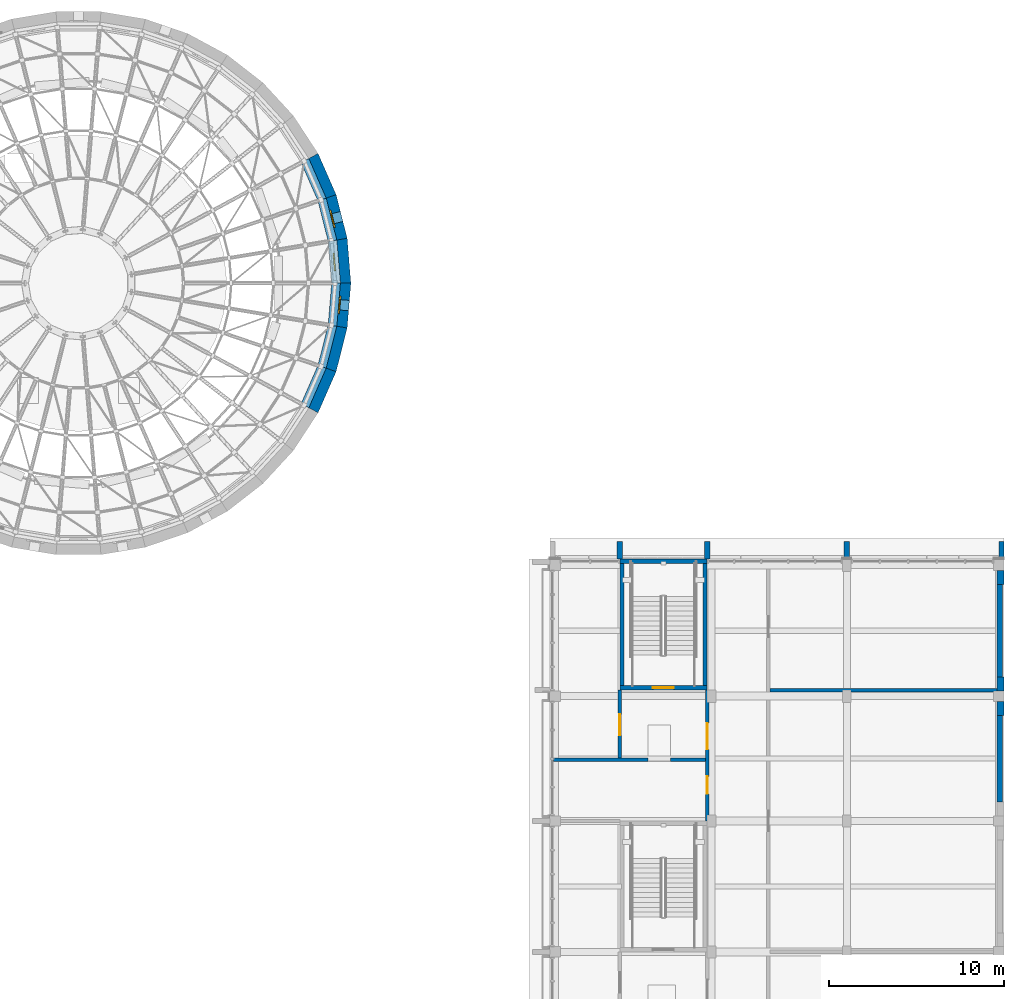
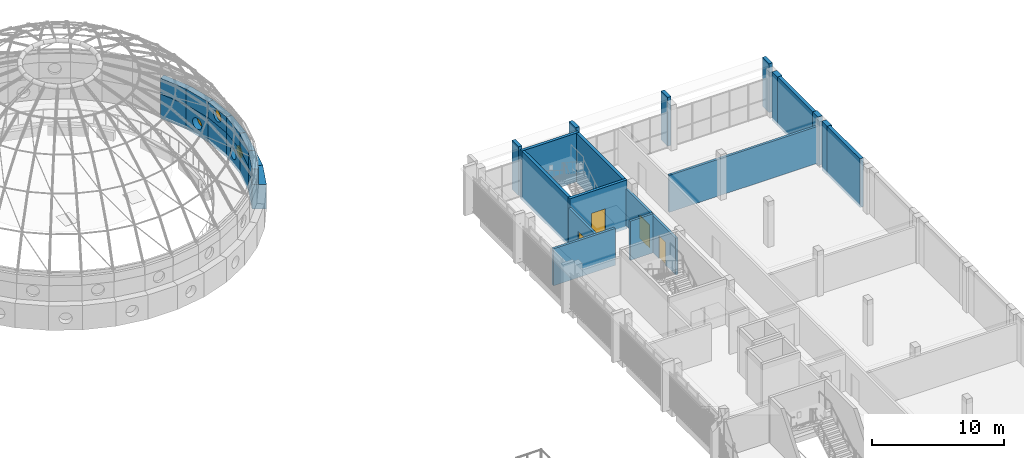
# One storey, part 58 of 98: 30 walls, 4 doors, 3 windows, 7 openings.
"""IFC4 building model written with IfcOpenShell, lengths in metres."""

import ifcopenshell
import ifcopenshell.guid

model = None  # the IFC model being written
_history = None  # IfcOwnerHistory: only IFC2X3 demands one
_inside = {}  # id of a spatial element -> (the spatial element, [elements in it])
_under = {}  # id of a project, library or spatial element -> (it, [spatial elements below it])
_declared = {}  # id of a project -> (the project, [libraries it declares])
_typed = {}  # id of a type object -> (the type object, [elements of that type])
_made_of = {}  # id of a material, layer set ... -> (it, [elements and type objects made of it])


def new_model(schema):
    """Start an empty IFC model of exactly this schema.

    Asked for "IFC4X3", IfcOpenShell would pick the latest addendum, in which some entities
    have other attributes; the version numbers below select the first issue.
    IFC2X3 requires an IfcOwnerHistory on every rooted entity: one is made here for all.
    """
    global model, _history
    if schema == "IFC4X3":
        model = ifcopenshell.file(schema_version=(4, 3, 0, 0))
    else:
        model = ifcopenshell.file(schema=schema)
    _inside.clear()
    _under.clear()
    _declared.clear()
    _typed.clear()
    _made_of.clear()
    _history = None
    if model.schema == "IFC2X3":
        org = make("IfcOrganization", Name="unknown")
        user = make(
            "IfcPersonAndOrganization",
            ThePerson=make("IfcPerson", FamilyName="unknown"),
            TheOrganization=org,
        )
        app = make(
            "IfcApplication",
            ApplicationDeveloper=org,
            Version="unknown",
            ApplicationFullName="unknown",
            ApplicationIdentifier="unknown",
        )
        _history = make(
            "IfcOwnerHistory",
            OwningUser=user,
            OwningApplication=app,
            ChangeAction="ADDED",
            CreationDate=0,
        )
    return model


def make(cls, **values):
    """One entity of the class cls with the attributes given. An attribute that is None is left unset."""
    return model.create_entity(
        cls, **{name: value for name, value in values.items() if value is not None}
    )


def rooted(cls, **values):
    """An entity with a GlobalId (a new one), such as an element, a storey or a relation."""
    return make(cls, GlobalId=ifcopenshell.guid.new(), OwnerHistory=_history, **values)


def si_unit(unit_type, name, prefix=None):
    """IfcSIUnit, for example si_unit("LENGTHUNIT", "METRE", prefix="MILLI")."""
    return make("IfcSIUnit", UnitType=unit_type, Prefix=prefix, Name=name)


def assignment(units):
    """IfcUnitAssignment: the units of a project."""
    return None if units is None else make("IfcUnitAssignment", Units=units)


def point(xyz):
    """IfcCartesianPoint."""
    return None if xyz is None else make("IfcCartesianPoint", Coordinates=xyz)


def direction(xyz):
    """IfcDirection."""
    return None if xyz is None else make("IfcDirection", DirectionRatios=xyz)


def frame(location, z_axis=None, x_axis=None):
    """IfcAxis2Placement3D, a coordinate frame: its origin and axes. An axis left out is left unset."""
    return make(
        "IfcAxis2Placement3D",
        Location=point(location),
        Axis=direction(z_axis),
        RefDirection=direction(x_axis),
    )


def frame_2d(location, x_axis=None):
    """IfcAxis2Placement2D, a coordinate frame in the plane: its origin and x axis."""
    return make(
        "IfcAxis2Placement2D", Location=point(location), RefDirection=direction(x_axis)
    )


def origin():
    """The frame at (0, 0, 0) with its axes left unset."""
    return frame((0.0, 0.0, 0.0))


def place(relative_to, where):
    """IfcLocalPlacement: puts the frame where relative to a parent placement (None: the world)."""
    return make(
        "IfcLocalPlacement", PlacementRelTo=relative_to, RelativePlacement=where
    )


def context(
    kind, dimensions, precision=None, world=None, true_north=None, identifier=None
):
    """IfcGeometricRepresentationContext, for example the 3D "Model" context."""
    return make(
        "IfcGeometricRepresentationContext",
        ContextIdentifier=identifier,
        ContextType=kind,
        CoordinateSpaceDimension=dimensions,
        Precision=precision,
        WorldCoordinateSystem=world,
        TrueNorth=true_north,
    )


def subcontext(parent, identifier, kind, view, scale=None):
    """IfcGeometricRepresentationSubContext, for example "Body" below "Model"."""
    return make(
        "IfcGeometricRepresentationSubContext",
        ContextIdentifier=identifier,
        ContextType=kind,
        ParentContext=parent,
        TargetScale=scale,
        TargetView=view,
    )


def project(units=None, contexts=None):
    """IfcProject with its units and contexts."""
    return rooted(
        "IfcProject",
        Name="project",
        RepresentationContexts=contexts,
        UnitsInContext=assignment(units),
    )


def spatial(cls, under=None, at=None, **own):
    """A site, building, storey or space (cls), placed at a placement, below another one or the project."""
    s = rooted(cls, ObjectPlacement=at, **own)
    if under is not None:
        _under.setdefault(under.id(), (under, []))[1].append(s)
    return s


def polyline(points):
    """IfcPolyline through the points."""
    return make("IfcPolyline", Points=[point(p) for p in points])


def profile(cls, at=None, kind="AREA", **sizes):
    """A parametric profile (cls). Its sizes go by their IFC names, for example OverallWidth=200.0."""
    return make(cls, ProfileType=kind, Position=at, **sizes)


def rectangle(**sizes):
    """IfcRectangleProfileDef."""
    return profile("IfcRectangleProfileDef", **sizes)


def circle(**sizes):
    """IfcCircleProfileDef."""
    return profile("IfcCircleProfileDef", **sizes)


def outline(outer, holes=None, kind="AREA"):
    """IfcArbitraryClosedProfileDef: a profile drawn as a closed curve; with holes, ...WithVoids."""
    if holes is None:
        return make("IfcArbitraryClosedProfileDef", ProfileType=kind, OuterCurve=outer)
    return make(
        "IfcArbitraryProfileDefWithVoids",
        ProfileType=kind,
        OuterCurve=outer,
        InnerCurves=holes,
    )


def extrude(swept, where, along, depth):
    """IfcExtrudedAreaSolid: the profile swept, set in the frame where, extruded along a direction by depth."""
    return make(
        "IfcExtrudedAreaSolid",
        SweptArea=swept,
        Position=where,
        ExtrudedDirection=direction(along),
        Depth=depth,
    )


def shape(context_of_items, identifier, shape_type, items):
    """IfcShapeRepresentation: the items that make up one representation, for example the "Body"."""
    return make(
        "IfcShapeRepresentation",
        ContextOfItems=context_of_items,
        RepresentationIdentifier=identifier,
        RepresentationType=shape_type,
        Items=items,
    )


def material(Name=None, Category=None):
    """IfcMaterial."""
    return make("IfcMaterial", Name=Name, Category=Category)


def layer(
    of_material, thickness, ventilated=None, Name=None, Category=None, Priority=None
):
    """IfcMaterialLayer: one layer of a wall or slab, of a material (None: an air gap)."""
    return make(
        "IfcMaterialLayer",
        Material=of_material,
        LayerThickness=thickness,
        IsVentilated=ventilated,
        Name=Name,
        Category=Category,
        Priority=Priority,
    )


def layer_set(layers, Name=None):
    """IfcMaterialLayerSet."""
    return make("IfcMaterialLayerSet", MaterialLayers=layers, LayerSetName=Name)


def made_of(thing, what):
    """Note that an element or type object is made of a material, layer set ...; save() writes the relation."""
    if what is not None:
        _made_of.setdefault(what.id(), (what, []))[1].append(thing)
    return thing


def type_object(cls, material=None, **own):
    """A type object (cls), such as IfcWallType, which elements share."""
    return made_of(rooted(cls, **own), material)


def element(
    cls,
    number,
    at=None,
    inside=None,
    cuts=None,
    type_object=None,
    material=None,
    context=None,
    identifier="Body",
    shape_type=None,
    held_by="IfcProductDefinitionShape",
    body=None,
    shapes=None,
    **own,
):
    """One element of the class cls, such as IfcWall. Its Tag is "e" and its number.

    at: its placement. inside: the storey or other place that contains it. cuts: it is an
    opening in that element (IfcRelVoidsElement). A single representation is given by context,
    identifier, shape_type and body (its items); several are given by shapes. held_by: the class
    of the entity that holds the representations. save() writes the other relations.
    """
    e = rooted(cls, Tag="e%d" % number, ObjectPlacement=at, **own)
    if body is not None:
        shapes = [shape(context, identifier, shape_type, body)]
    if shapes is not None:
        e.Representation = make(held_by, Representations=shapes)
    if inside is not None:
        _inside.setdefault(inside.id(), (inside, []))[1].append(e)
    if cuts is not None:
        rooted(
            "IfcRelVoidsElement", RelatingBuildingElement=cuts, RelatedOpeningElement=e
        )
    if type_object is not None:
        _typed.setdefault(type_object.id(), (type_object, []))[1].append(e)
    return made_of(e, material)


def fill(opening, filler):
    """IfcRelFillsElement: the door or window that sits in an opening."""
    return rooted(
        "IfcRelFillsElement",
        RelatingOpeningElement=opening,
        RelatedBuildingElement=filler,
    )


def aggregate(whole, parts):
    """IfcRelAggregates: a whole, such as a stair, and the parts it consists of."""
    return rooted("IfcRelAggregates", RelatingObject=whole, RelatedObjects=parts)


def save(model, path):
    """Write the relations noted so far, then the file.

    IfcRelAggregates (storeys below a building ...), IfcRelContainedInSpatialStructure (elements
    in a storey), IfcRelDefinesByType, IfcRelAssociatesMaterial and IfcRelDeclares: one each for
    every whole, place, type object, material and project.
    """
    for whole, parts in _under.values():
        aggregate(whole, parts)
    for where, things in _inside.values():
        rooted(
            "IfcRelContainedInSpatialStructure",
            RelatedElements=things,
            RelatingStructure=where,
        )
    for kind, things in _typed.values():
        rooted("IfcRelDefinesByType", RelatedObjects=things, RelatingType=kind)
    for what, things in _made_of.values():
        rooted("IfcRelAssociatesMaterial", RelatedObjects=things, RelatingMaterial=what)
    for by, libraries in _declared.values():
        rooted("IfcRelDeclares", RelatingContext=by, RelatedDefinitions=libraries)
    model.write(path)


model = new_model("IFC4")

# Units and contexts
model_context = context("Model", 3, precision=1e-05, world=origin(), true_north=direction((0.0, 1.0)))
body_context = subcontext(model_context, "Body", "Model", "MODEL_VIEW")
ifc_project = project(units=[si_unit("LENGTHUNIT", "METRE"), si_unit("AREAUNIT", "SQUARE_METRE"), si_unit("VOLUMEUNIT", "CUBIC_METRE"), si_unit("PLANEANGLEUNIT", "RADIAN"), si_unit("MASSUNIT", "GRAM", prefix="KILO")], contexts=[model_context])

# Site, building, storey
site_placement = place(None, origin())
site = spatial("IfcSite", under=ifc_project, at=site_placement, CompositionType="ELEMENT")
building_placement = place(site_placement, origin())
building = spatial("IfcBuilding", under=site, at=building_placement, Name="Sun Court Science Centre", CompositionType="ELEMENT")
storey_placement = place(building_placement, frame((0.0, 0.0, 15.75)))
storey = spatial("IfcBuildingStorey", under=building, at=storey_placement, Name="L03", CompositionType="ELEMENT", Elevation=15.75)

# Walls
ifc_material_1 = material(Name="Concrete C30/37", Category="concrete")
ifc_layer_1 = layer(ifc_material_1, 0.300048828125)
ifc_layer_set_1 = layer_set([ifc_layer_1], Name="Concrete C30/37")
wall_type_1 = type_object("IfcWallType", Name="Facade fin RC 300", PredefinedType="SOLIDWALL", material=ifc_layer_set_1)
for number, where, z_axis, x_axis, name in (
    (1, (82.0, 81.0, 0.0), (0.0, 0.0, 1.0), (0.0, 1.0, 0.0), "Facade fin north 02 L03"),
    (2, (87.0, 81.0, 0.0), (0.0, 0.0, 1.0), (0.0, 1.0, 0.0), "Facade fin north 03 L03"),
    (3, (95.0, 81.0, 0.0), (0.0, 0.0, 1.0), (0.0, 1.0, 0.0), "Facade fin north 04 L03"),
    (4, (103.85009765625, 81.0, 0.0), (0.0, 0.0, 1.0), (0.0, 1.0, 0.0), "Facade fin north 05 L03"),
):
    element("IfcWall", number, at=place(storey_placement, frame(where, z_axis=z_axis, x_axis=x_axis)), inside=storey, type_object=wall_type_1, Name=name, PredefinedType="SOLIDWALL", context=body_context, shape_type="SweptSolid", body=[
        extrude(rectangle(XDim=1.0, YDim=0.300048828125, at=frame_2d((0.5, 0.0))), origin(), (0.0, 0.0, 1.0), 4.5),
    ])
ifc_material_2 = material(Name="Concrete block", Category="concrete")
ifc_layer_2 = layer(ifc_material_2, 0.199951171875)
ifc_layer_set_2 = layer_set([ifc_layer_2], Name="Concrete block")
wall_type_2 = type_object("IfcWallType", Name="Partition 200 block EI60", PredefinedType="PARTITIONING", material=ifc_layer_set_2)
wall_1_placement = place(storey_placement, frame((78.199951171875, 69.5, 0.0), z_axis=(0.0, 0.0, 1.0), x_axis=(1.0, 0.0, 0.0)))
element("IfcWall", 5, at=wall_1_placement, inside=storey, type_object=wall_type_2, Name="L03 partition 014", PredefinedType="PARTITIONING", context=body_context, shape_type="SweptSolid", body=[
    extrude(rectangle(XDim=5.400146484375, YDim=0.199951171875, at=frame_2d((2.7001953125, 0.0))), origin(), (0.0, 0.0, 1.0), 3.39990234375),
])
wall_2_placement = place(storey_placement, frame((84.89990234375, 69.5, 0.0), z_axis=(0.0, 0.0, 1.0), x_axis=(1.0, 0.0, 0.0)))
element("IfcWall", 6, at=wall_2_placement, inside=storey, type_object=wall_type_2, Name="L03 partition 015", PredefinedType="PARTITIONING", context=body_context, shape_type="SweptSolid", body=[
    extrude(rectangle(XDim=2.0, YDim=0.199951171875, at=frame_2d((1.0, 0.0))), origin(), (0.0, 0.0, 1.0), 3.60009765625),
])

# Wall, opening, door
wall_3_placement = place(storey_placement, frame((82.0, 69.60009765625, 0.0), z_axis=(0.0, 0.0, 1.0), x_axis=(0.0, 1.0, 0.0)))
wall_3 = element("IfcWall", 7, at=wall_3_placement, inside=storey, type_object=wall_type_2, Name="L03 partition 025", PredefinedType="PARTITIONING", context=body_context, shape_type="SweptSolid", body=[
    extrude(rectangle(XDim=3.89794921875, YDim=0.199951171875, at=frame_2d((1.948974609375, 0.0))), origin(), (0.0, 0.0, 1.0), 3.39990234375),
])
opening_1_placement = place(wall_3_placement, frame((1.301025390625, 0.0, 0.0)))
opening_1 = element("IfcOpeningElement", 8, at=opening_1_placement, cuts=wall_3, Name="Opening D-L03-021", PredefinedType="OPENING", context=body_context, shape_type="SweptSolid", body=[
    extrude(rectangle(XDim=1.199951171875, YDim=2.10009765625, at=frame_2d((0.60009765625, 1.050048828125))), frame((0.0, 0.10986328125, 0.0), z_axis=(0.0, -1.0, 0.0), x_axis=(1.0, 0.0, 0.0)), (0.0, 0.0, 1.0), 0.219970703125),
])
ifc_material_3 = material(Name="Timber", Category="wood")
door_type_1 = type_object("IfcDoorType", Name="Door 1200x2100 single leaf", OperationType="NOTDEFINED", PredefinedType="DOOR", material=ifc_material_3)
door_1_placement = place(opening_1_placement, origin())
door_1 = element("IfcDoor", 9, at=door_1_placement, inside=storey, type_object=door_type_1, Name="Door D-L03-021", OperationType="SINGLE_SWING_RIGHT", OverallHeight=2.10009765625, OverallWidth=1.199951171875, PredefinedType="DOOR", context=body_context, shape_type="SweptSolid", body=[
    extrude(rectangle(XDim=1.199951171875, YDim=2.10009765625, at=frame_2d((0.60009765625, 1.050048828125))), frame((0.0, 0.02490234375, 0.0), z_axis=(0.0, -1.0, 0.0), x_axis=(1.0, 0.0, 0.0)), (0.0, 0.0, 1.0), 0.050048828125),
])
fill(opening_1, door_1)

# Wall, openings, doors
ifc_material_4 = material(Name="Concrete block", Category="concrete")
ifc_layer_3 = layer(ifc_material_4, 0.199951171875)
ifc_layer_set_3 = layer_set([ifc_layer_3], Name="Concrete block")
wall_type_3 = type_object("IfcWallType", Name="Partition 200 corridor block EI120", PredefinedType="PARTITIONING", material=ifc_layer_set_3)
wall_4_placement = place(storey_placement, frame((87.0, 66.001953125, 0.0), z_axis=(0.0, 0.0, 1.0), x_axis=(0.0, 1.0, 0.0)))
wall_4 = element("IfcWall", 10, at=wall_4_placement, inside=storey, type_object=wall_type_3, Name="L03 partition 022", PredefinedType="PARTITIONING", context=body_context, shape_type="SweptSolid", body=[
    extrude(rectangle(XDim=7.49609375, YDim=0.199951171875, at=frame_2d((3.748046875, 0.0))), origin(), (0.0, 0.0, 1.0), 3.39990234375),
])
opening_2_placement = place(wall_4_placement, frame((4.097900390625, 0.0, 0.0)))
opening_2 = element("IfcOpeningElement", 11, at=opening_2_placement, cuts=wall_4, Name="Opening D-L03-013", PredefinedType="OPENING", context=body_context, shape_type="SweptSolid", body=[
    extrude(rectangle(XDim=1.5, YDim=2.10009765625, at=frame_2d((0.75, 1.050048828125))), frame((0.0, 0.10986328125, 0.0), z_axis=(0.0, -1.0, 0.0), x_axis=(1.0, 0.0, 0.0)), (0.0, 0.0, 1.0), 0.219970703125),
])
opening_3_placement = place(wall_4_placement, frame((1.548095703125, 0.0, 0.0)))
opening_3 = element("IfcOpeningElement", 12, at=opening_3_placement, cuts=wall_4, Name="Opening D-L03-020", PredefinedType="OPENING", context=body_context, shape_type="SweptSolid", body=[
    extrude(rectangle(XDim=1.0, YDim=2.10009765625, at=frame_2d((0.5, 1.050048828125))), frame((0.0, 0.10986328125, 0.0), z_axis=(0.0, -1.0, 0.0), x_axis=(1.0, 0.0, 0.0)), (0.0, 0.0, 1.0), 0.219970703125),
])
ifc_material_5 = material(Name="Steel", Category="steel")
door_type_2 = type_object("IfcDoorType", Name="Door 1000x2100 single leaf FD30S", OperationType="NOTDEFINED", PredefinedType="DOOR", material=ifc_material_5)
door_2_placement = place(opening_3_placement, origin())
door_2 = element("IfcDoor", 13, at=door_2_placement, inside=storey, type_object=door_type_2, Name="Door D-L03-020", OperationType="SINGLE_SWING_RIGHT", OverallHeight=2.10009765625, OverallWidth=1.0, PredefinedType="DOOR", context=body_context, shape_type="SweptSolid", body=[
    extrude(rectangle(XDim=1.0, YDim=2.10009765625, at=frame_2d((0.5, 1.050048828125))), frame((0.0, 0.02490234375, 0.0), z_axis=(0.0, -1.0, 0.0), x_axis=(1.0, 0.0, 0.0)), (0.0, 0.0, 1.0), 0.050048828125),
])
fill(opening_3, door_2)
ifc_material_6 = material(Name="Steel", Category="steel")
door_type_3 = type_object("IfcDoorType", Name="Door 1500x2100 double leaf FD60", OperationType="DOUBLE_DOOR_SINGLE_SWING", PredefinedType="DOOR", material=ifc_material_6)
door_3_placement = place(opening_2_placement, origin())
door_3 = element("IfcDoor", 14, at=door_3_placement, inside=storey, type_object=door_type_3, Name="Door D-L03-013", OperationType="DOUBLE_DOOR_SINGLE_SWING", OverallHeight=2.10009765625, OverallWidth=1.5, PredefinedType="DOOR", context=body_context, shape_type="SweptSolid", body=[
    extrude(rectangle(XDim=1.5, YDim=2.10009765625, at=frame_2d((0.75, 1.050048828125))), frame((0.0, 0.02490234375, 0.0), z_axis=(0.0, -1.0, 0.0), x_axis=(1.0, 0.0, 0.0)), (0.0, 0.0, 1.0), 0.050048828125),
])
fill(opening_2, door_3)

# Wall
ifc_material_7 = material(Name="Concrete block", Category="concrete")
ifc_layer_4 = layer(ifc_material_7, 0.199951171875)
ifc_layer_set_4 = layer_set([ifc_layer_4], Name="Concrete block")
wall_type_4 = type_object("IfcWallType", Name="Partition 200 laboratory block", PredefinedType="PARTITIONING", material=ifc_layer_set_4)
wall_5_placement = place(storey_placement, frame((90.60009765625, 73.5, 0.0), z_axis=(0.0, 0.0, 1.0), x_axis=(1.0, 0.0, 0.0)))
element("IfcWall", 15, at=wall_5_placement, inside=storey, type_object=wall_type_4, Name="L03 partition 016", PredefinedType="PARTITIONING", context=body_context, shape_type="SweptSolid", body=[
    extrude(rectangle(XDim=12.997802734375, YDim=0.199951171875, at=frame_2d((6.4990234375, 0.0))), origin(), (0.0, 0.0, 1.0), 3.39990234375),
])

# Wall, opening, window
ifc_material_8 = material(Name="Concrete C30/37", Category="concrete")
ifc_layer_5 = layer(ifc_material_8, 1.097900390625)
ifc_layer_set_5 = layer_set([ifc_layer_5], Name="Concrete C30/37")
wall_type_5 = type_object("IfcWallType", Name="RC drum wall exterior 1098", PredefinedType="SHEAR", material=ifc_layer_set_5)
wall_6_placement = place(storey_placement, frame((65.85498046875, 99.23291015625, -0.300048828125), z_axis=(0.0, 0.0, 1.0), x_axis=(-0.24543313963, 0.969413520625, 0.0)))
wall_6 = element("IfcWall", 16, at=wall_6_placement, inside=storey, type_object=wall_type_5, Name="Drum wall L03 course 1 segment 1", PredefinedType="SHEAR", context=body_context, shape_type="SweptSolid", body=[
    extrude(outline(polyline([(0.0, -0.549072265625), (2.576416015625, -0.548828125), (2.4853515625, 0.549072265625), (0.0908203125, 0.548828125), (0.0, -0.549072265625)])), origin(), (0.0, 0.0, 1.0), 2.25),
])
opening_4_placement = place(wall_6_placement, frame((0.788330078125, 0.0, 0.60009765625)))
opening_4 = element("IfcOpeningElement", 17, at=opening_4_placement, cuts=wall_6, Name="Opening WN-L03-057", PredefinedType="OPENING", context=body_context, shape_type="SweptSolid", body=[
    extrude(circle(Radius=0.5, at=frame_2d((0.5, 0.5))), frame((0.0, 0.558837890625, 0.0), z_axis=(0.0, -1.0, 0.0), x_axis=(1.0, 0.0, 0.0)), (0.0, 0.0, 1.0), 1.117919921875),
])
ifc_material_9 = material(Name="Aluminium frame, 6-12-6 glazing", Category="aluminium")
window_type = type_object("IfcWindowType", Name="Round porthole 1000", PartitioningType="SINGLE_PANEL", PredefinedType="WINDOW", material=ifc_material_9)
window_1_placement = place(opening_4_placement, origin())
window_1 = element("IfcWindow", 18, at=window_1_placement, inside=storey, type_object=window_type, Name="Drum porthole L03 01", OverallHeight=1.0, OverallWidth=1.0, PartitioningType="SINGLE_PANEL", PredefinedType="WINDOW", context=body_context, shape_type="SweptSolid", body=[
    extrude(circle(Radius=0.5, at=frame_2d((0.5, 0.5))), frame((0.0, 0.030029296875, 0.0), z_axis=(0.0, -1.0, 0.0), x_axis=(1.0, 0.0, 0.0)), (0.0, 0.0, 1.0), 0.06005859375),
])
fill(opening_4, window_1)

# Walls
wall_7_placement = place(storey_placement, frame((65.251953125, 101.644775390625, -0.300048828125), z_axis=(0.0, 0.0, 1.0), x_axis=(-0.401693563035, 0.915774143234, 0.0)))
element("IfcWall", 19, at=wall_7_placement, inside=storey, type_object=wall_type_5, Name="Drum wall L03 course 1 segment 2", PredefinedType="SHEAR", context=body_context, shape_type="SweptSolid", body=[
    extrude(outline(polyline([(0.0, -0.548828125), (2.57666015625, -0.549072265625), (2.4853515625, 0.548828125), (0.091064453125, 0.549072265625), (0.0, -0.548828125)])), origin(), (0.0, 0.0, 1.0), 2.25),
])
wall_8_placement = place(storey_placement, frame((64.217041015625, 89.595703125, -0.300048828125), z_axis=(0.0, 0.0, 1.0), x_axis=(0.401658706786, 0.915789431727, 0.0)))
element("IfcWall", 20, at=wall_8_placement, inside=storey, type_object=wall_type_5, Name="Drum wall L03 course 1 segment 35", PredefinedType="SHEAR", context=body_context, shape_type="SweptSolid", body=[
    extrude(outline(polyline([(0.0, -0.548828125), (2.576416015625, -0.549072265625), (2.4853515625, 0.548828125), (0.091064453125, 0.548828125), (0.0, -0.548828125)])), origin(), (0.0, 0.0, 1.0), 2.25),
])
wall_9_placement = place(storey_placement, frame((65.22265625, 91.869384765625, -0.300048828125), z_axis=(0.0, 0.0, 1.0), x_axis=(0.245410595313, 0.969419228048, 0.0)))
element("IfcWall", 21, at=wall_9_placement, inside=storey, type_object=wall_type_5, Name="Drum wall L03 course 1 segment 36", PredefinedType="SHEAR", context=body_context, shape_type="SweptSolid", body=[
    extrude(outline(polyline([(0.0, -0.548828125), (2.57666015625, -0.549072265625), (2.48583984375, 0.548828125), (0.0908203125, 0.549072265625), (0.0, -0.548828125)])), origin(), (0.0, 0.0, 1.0), 2.25),
])

# Wall, opening, window
wall_10_placement = place(storey_placement, frame((65.840087890625, 94.277587890625, -0.300048828125), z_axis=(0.0, 0.0, 1.0), x_axis=(0.082629840091, 0.996580307615, 0.0)))
wall_10 = element("IfcWall", 22, at=wall_10_placement, inside=storey, type_object=wall_type_5, Name="Drum wall L03 course 1 segment 37", PredefinedType="SHEAR", context=body_context, shape_type="SweptSolid", body=[
    extrude(outline(polyline([(0.000244140625, -0.549072265625), (2.57666015625, -0.549072265625), (2.485595703125, 0.549072265625), (0.091064453125, 0.549072265625), (0.000244140625, -0.549072265625)])), origin(), (0.0, 0.0, 1.0), 2.25),
])
opening_5_placement = place(wall_10_placement, frame((0.788330078125, 0.0, 0.60009765625)))
opening_5 = element("IfcOpeningElement", 23, at=opening_5_placement, cuts=wall_10, Name="Opening WN-L03-069", PredefinedType="OPENING", context=body_context, shape_type="SweptSolid", body=[
    extrude(circle(Radius=0.5, at=frame_2d((0.5, 0.5))), frame((0.0, 0.558837890625, 0.0), z_axis=(0.0, -1.0, 0.0), x_axis=(1.0, 0.0, 0.0)), (0.0, 0.0, 1.0), 1.117919921875),
])
window_2_placement = place(opening_5_placement, origin())
window_2 = element("IfcWindow", 24, at=window_2_placement, inside=storey, type_object=window_type, Name="Drum porthole L03 37", OverallHeight=1.0, OverallWidth=1.0, PartitioningType="SINGLE_PANEL", PredefinedType="WINDOW", context=body_context, shape_type="SweptSolid", body=[
    extrude(circle(Radius=0.5, at=frame_2d((0.5, 0.5))), frame((0.0, 0.030029296875, 0.0), z_axis=(0.0, -1.0, 0.0), x_axis=(1.0, 0.0, 0.0)), (0.0, 0.0, 1.0), 0.06005859375),
])
fill(opening_5, window_2)

# Walls
wall_11_placement = place(storey_placement, frame((66.052978515625, 96.754638671875, -0.300048828125), z_axis=(0.0, 0.0, 1.0), x_axis=(-0.082629840091, 0.996580307615, 0.0)))
element("IfcWall", 25, at=wall_11_placement, inside=storey, type_object=wall_type_5, Name="Drum wall L03 course 1 segment 38", PredefinedType="SHEAR", context=body_context, shape_type="SweptSolid", body=[
    extrude(outline(polyline([(0.0, -0.549072265625), (2.576416015625, -0.549072265625), (2.485595703125, 0.548828125), (0.091064453125, 0.549072265625), (0.0, -0.549072265625)])), origin(), (0.0, 0.0, 1.0), 2.25),
])
ifc_material_10 = material(Name="Concrete C30/37", Category="concrete")
ifc_layer_6 = layer(ifc_material_10, 0.5)
ifc_layer_set_6 = layer_set([ifc_layer_6], Name="Concrete C30/37")
wall_type_6 = type_object("IfcWallType", Name="RC drum wall exterior 500", PredefinedType="SHEAR", material=ifc_layer_set_6)
wall_12_placement = place(storey_placement, frame((65.552978515625, 99.20751953125, 1.949951171875), z_axis=(0.0, 0.0, 1.0), x_axis=(-0.245479308712, 0.969401830509, 0.0)))
element("IfcWall", 26, at=wall_12_placement, inside=storey, type_object=wall_type_6, Name="Drum wall L03 course 2 segment 1", PredefinedType="SHEAR", context=body_context, shape_type="SweptSolid", body=[
    extrude(outline(polyline([(0.0, -0.25), (2.477294921875, -0.25), (2.43603515625, 0.25), (0.041259765625, 0.25), (0.0, -0.25)])), origin(), (0.0, 0.0, 1.0), 1.449951171875),
])
for number, where, z_axis, x_axis, name in (
    (27, (64.958251953125, 101.570068359375, 1.949951171875), (0.0, 0.0, 1.0), (-0.401671644692, 0.915783757145, 0.0), "Drum wall L03 course 2 segment 2"),
    (28, (63.963134765625, 89.76123046875, 1.949951171875), (0.0, 0.0, 1.0), (0.401671644692, 0.915783757145, 0.0), "Drum wall L03 course 2 segment 35"),
):
    element("IfcWall", number, at=place(storey_placement, frame(where, z_axis=z_axis, x_axis=x_axis)), inside=storey, type_object=wall_type_6, Name=name, PredefinedType="SHEAR", context=body_context, shape_type="SweptSolid", body=[
        extrude(outline(polyline([(0.0, -0.25), (2.477294921875, -0.25), (2.435791015625, 0.25), (0.04150390625, 0.25), (0.0, -0.25)])), origin(), (0.0, 0.0, 1.0), 1.449951171875),
    ])
wall_13_placement = place(storey_placement, frame((64.94482421875, 91.990966796875, 1.949951171875), z_axis=(0.0, 0.0, 1.0), x_axis=(0.245502761801, 0.969395891238, 0.0)))
element("IfcWall", 29, at=wall_13_placement, inside=storey, type_object=wall_type_6, Name="Drum wall L03 course 2 segment 36", PredefinedType="SHEAR", context=body_context, shape_type="SweptSolid", body=[
    extrude(outline(polyline([(-0.000244140625, -0.25), (2.477294921875, -0.25), (2.43603515625, 0.25), (0.041259765625, 0.25), (-0.000244140625, -0.25)])), origin(), (0.0, 0.0, 1.0), 1.449951171875),
])
wall_14_placement = place(storey_placement, frame((65.54638671875, 94.351806640625, 1.949951171875), z_axis=(0.0, 0.0, 1.0), x_axis=(0.082490838195, 0.996591822972, 0.0)))
element("IfcWall", 30, at=wall_14_placement, inside=storey, type_object=wall_type_6, Name="Drum wall L03 course 2 segment 37", PredefinedType="SHEAR", context=body_context, shape_type="SweptSolid", body=[
    extrude(outline(polyline([(-0.000244140625, -0.25), (2.477294921875, -0.25), (2.43603515625, 0.25), (0.04150390625, 0.250244140625), (-0.000244140625, -0.25)])), origin(), (0.0, 0.0, 1.0), 1.449951171875),
])

# Wall, opening, window
wall_15_placement = place(storey_placement, frame((65.750732421875, 96.779296875, 1.949951171875), z_axis=(0.0, 0.0, 1.0), x_axis=(-0.082482736782, 0.996592493516, 0.0)))
wall_15 = element("IfcWall", 31, at=wall_15_placement, inside=storey, type_object=wall_type_6, Name="Drum wall L03 course 2 segment 38", PredefinedType="SHEAR", context=body_context, shape_type="SweptSolid", body=[
    extrude(outline(polyline([(0.0, -0.250244140625), (2.477294921875, -0.249755859375), (2.43603515625, 0.250244140625), (0.04150390625, 0.249755859375), (0.0, -0.250244140625)])), origin(), (0.0, 0.0, 1.0), 1.449951171875),
])
opening_6_placement = place(wall_15_placement, frame((0.73876953125, 0.0, 0.35009765625)))
opening_6 = element("IfcOpeningElement", 32, at=opening_6_placement, cuts=wall_15, Name="Opening WN-L03-082", PredefinedType="OPENING", context=body_context, shape_type="SweptSolid", body=[
    extrude(circle(Radius=0.5, at=frame_2d((0.5, 0.5))), frame((0.0, 0.260009765625, 0.0), z_axis=(0.0, -1.0, 0.0), x_axis=(1.0, 0.0, 0.0)), (0.0, 0.0, 1.0), 0.52001953125),
])
window_3_placement = place(opening_6_placement, origin())
window_3 = element("IfcWindow", 33, at=window_3_placement, inside=storey, type_object=window_type, Name="Drum porthole L03 38", OverallHeight=1.0, OverallWidth=1.0, PartitioningType="SINGLE_PANEL", PredefinedType="WINDOW", context=body_context, shape_type="SweptSolid", body=[
    extrude(circle(Radius=0.5, at=frame_2d((0.5, 0.5))), frame((0.0, 0.030029296875, 0.0), z_axis=(0.0, -1.0, 0.0), x_axis=(1.0, 0.0, 0.0)), (0.0, 0.0, 1.0), 0.06005859375),
])
fill(opening_6, window_3)

# Walls
ifc_material_11 = material(Name="Concrete C30/37", Category="concrete")
ifc_layer_7 = layer(ifc_material_11, 0.39990234375)
ifc_layer_set_7 = layer_set([ifc_layer_7], Name="Concrete C30/37")
wall_type_7 = type_object("IfcWallType", Name="RC party wall exterior 400", PredefinedType="SOLIDWALL", material=ifc_layer_set_7)
for number, where, z_axis, x_axis, name in (
    (34, (103.800048828125, 72.050048828125, -0.300048828125), (0.0, 0.0, 1.0), (0.0, 1.0, 0.0), "East party wall L03"),
    (35, (103.800048828125, 73.449951171875, -0.300048828125), (0.0, 0.0, 1.0), (0.0, 1.0, 0.0), "East party wall L03"),
    (36, (103.800048828125, 79.550048828125, -0.300048828125), (0.0, 0.0, 1.0), (0.0, 1.0, 0.0), "East party wall L03"),
):
    element("IfcWall", number, at=place(storey_placement, frame(where, z_axis=z_axis, x_axis=x_axis)), inside=storey, type_object=wall_type_7, Name=name, PredefinedType="SOLIDWALL", context=body_context, shape_type="SweptSolid", body=[
        extrude(rectangle(XDim=0.800048828125, YDim=0.39990234375, at=frame_2d((0.39990234375, 0.0))), origin(), (0.0, 0.0, 1.0), 4.5),
    ])
ifc_material_12 = material(Name="Concrete C30/37", Category="concrete")
ifc_layer_8 = layer(ifc_material_12, 0.300048828125)
ifc_layer_set_8 = layer_set([ifc_layer_8], Name="Concrete C30/37")
wall_type_8 = type_object("IfcWallType", Name="RC party wall panel exterior 300", PredefinedType="SOLIDWALL", material=ifc_layer_set_8)
wall_16_placement = place(storey_placement, frame((103.75, 67.10009765625, -0.300048828125), z_axis=(0.0, 0.0, 1.0), x_axis=(0.0, 1.0, 0.0)))
element("IfcWall", 37, at=wall_16_placement, inside=storey, type_object=wall_type_8, Name="East party wall L03 panel", PredefinedType="SOLIDWALL", context=body_context, shape_type="SweptSolid", body=[
    extrude(rectangle(XDim=4.949951171875, YDim=0.300048828125, at=frame_2d((2.47509765625, 0.0))), origin(), (0.0, 0.0, 1.0), 4.5),
])
wall_17_placement = place(storey_placement, frame((103.75, 74.25, -0.300048828125), z_axis=(0.0, 0.0, 1.0), x_axis=(0.0, 1.0, 0.0)))
element("IfcWall", 38, at=wall_17_placement, inside=storey, type_object=wall_type_8, Name="East party wall L03 panel", PredefinedType="SOLIDWALL", context=body_context, shape_type="SweptSolid", body=[
    extrude(rectangle(XDim=5.300048828125, YDim=0.300048828125, at=frame_2d((2.64990234375, 0.0))), origin(), (0.0, 0.0, 1.0), 4.5),
])

# Wall, opening, door
ifc_material_13 = material(Name="Concrete C30/37", Category="concrete")
ifc_layer_9 = layer(ifc_material_13, 0.25)
ifc_layer_set_9 = layer_set([ifc_layer_9], Name="Concrete C30/37")
wall_type_9 = type_object("IfcWallType", Name="RC stair core wall 250", PredefinedType="SHEAR", material=ifc_layer_set_9)
wall_18_placement = place(storey_placement, frame((82.0, 73.625, -0.300048828125), z_axis=(0.0, 0.0, 1.0), x_axis=(1.0, 0.0, 0.0)))
wall_18 = element("IfcWall", 39, at=wall_18_placement, inside=storey, type_object=wall_type_9, Name="Stair core SL4 wall S, L03", PredefinedType="SHEAR", context=body_context, shape_type="SweptSolid", body=[
    extrude(rectangle(XDim=5.0, YDim=0.25, at=frame_2d((2.5, 0.0))), origin(), (0.0, 0.0, 1.0), 4.5),
])
opening_7_placement = place(wall_18_placement, frame((1.89990234375, 0.0, 0.300048828125)))
opening_7 = element("IfcOpeningElement", 40, at=opening_7_placement, cuts=wall_18, Name="Opening D-L03-012", PredefinedType="OPENING", context=body_context, shape_type="SweptSolid", body=[
    extrude(rectangle(XDim=1.199951171875, YDim=2.199951171875, at=frame_2d((0.60009765625, 1.10009765625))), frame((0.0, 0.135009765625, 0.0), z_axis=(0.0, -1.0, 0.0), x_axis=(1.0, 0.0, 0.0)), (0.0, 0.0, 1.0), 0.27001953125),
])
ifc_material_14 = material(Name="Steel", Category="steel")
door_type_4 = type_object("IfcDoorType", Name="Door 1200x2200 single leaf FD60", OperationType="NOTDEFINED", PredefinedType="DOOR", material=ifc_material_14)
door_4_placement = place(opening_7_placement, origin())
door_4 = element("IfcDoor", 41, at=door_4_placement, inside=storey, type_object=door_type_4, Name="Door D-L03-012", OperationType="SINGLE_SWING_LEFT", OverallHeight=2.199951171875, OverallWidth=1.199951171875, PredefinedType="DOOR", context=body_context, shape_type="SweptSolid", body=[
    extrude(rectangle(XDim=1.199951171875, YDim=2.199951171875, at=frame_2d((0.60009765625, 1.10009765625))), frame((0.0, 0.02490234375, 0.0), z_axis=(0.0, -1.0, 0.0), x_axis=(1.0, 0.0, 0.0)), (0.0, 0.0, 1.0), 0.050048828125),
])
fill(opening_7, door_4)

# Walls
wall_19_placement = place(storey_placement, frame((86.875, 73.75, -0.300048828125), z_axis=(0.0, 0.0, 1.0), x_axis=(0.0, 1.0, 0.0)))
element("IfcWall", 42, at=wall_19_placement, inside=storey, type_object=wall_type_9, Name="Stair core SL4 wall E, L03", PredefinedType="SHEAR", context=body_context, shape_type="SweptSolid", body=[
    extrude(rectangle(XDim=7.0, YDim=0.25, at=frame_2d((3.5, 0.0))), origin(), (0.0, 0.0, 1.0), 4.5),
])
wall_20_placement = place(storey_placement, frame((82.0, 80.875, -0.300048828125), z_axis=(0.0, 0.0, 1.0), x_axis=(1.0, 0.0, 0.0)))
element("IfcWall", 43, at=wall_20_placement, inside=storey, type_object=wall_type_9, Name="Stair core SL4 wall N, L03", PredefinedType="SHEAR", context=body_context, shape_type="SweptSolid", body=[
    extrude(rectangle(XDim=5.0, YDim=0.25, at=frame_2d((2.5, 0.0))), origin(), (0.0, 0.0, 1.0), 4.5),
])
wall_21_placement = place(storey_placement, frame((82.125, 73.75, -0.300048828125), z_axis=(0.0, 0.0, 1.0), x_axis=(0.0, 1.0, 0.0)))
element("IfcWall", 44, at=wall_21_placement, inside=storey, type_object=wall_type_9, Name="Stair core SL4 wall W, L03", PredefinedType="SHEAR", context=body_context, shape_type="SweptSolid", body=[
    extrude(rectangle(XDim=7.0, YDim=0.25, at=frame_2d((3.5, 0.0))), origin(), (0.0, 0.0, 1.0), 4.5),
])

save(model, "model.ifc")
